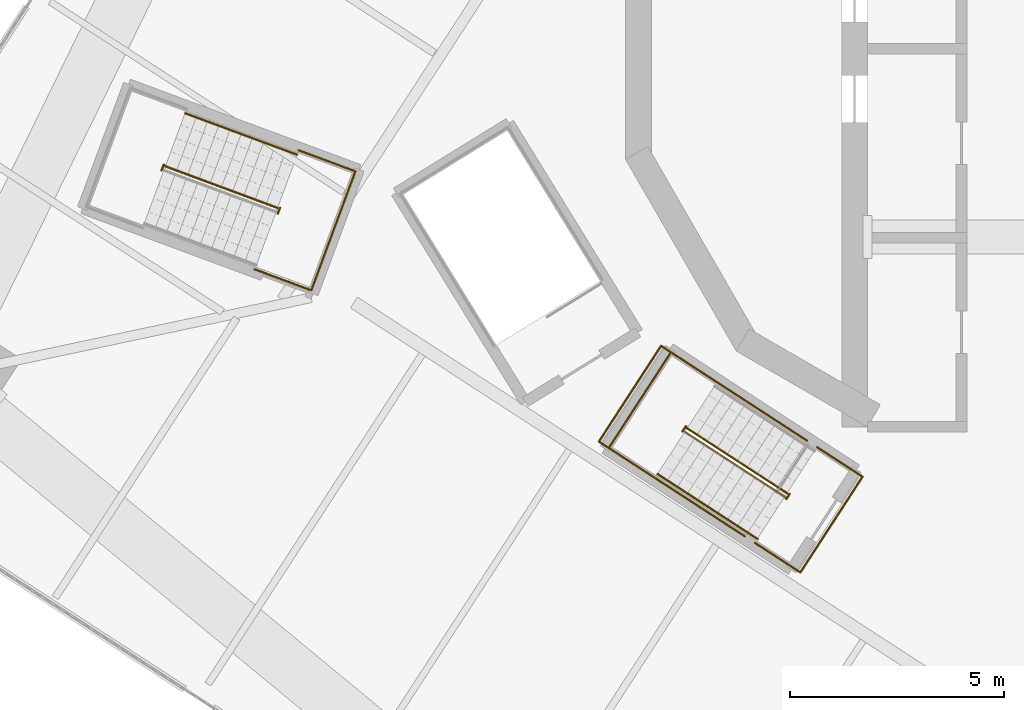
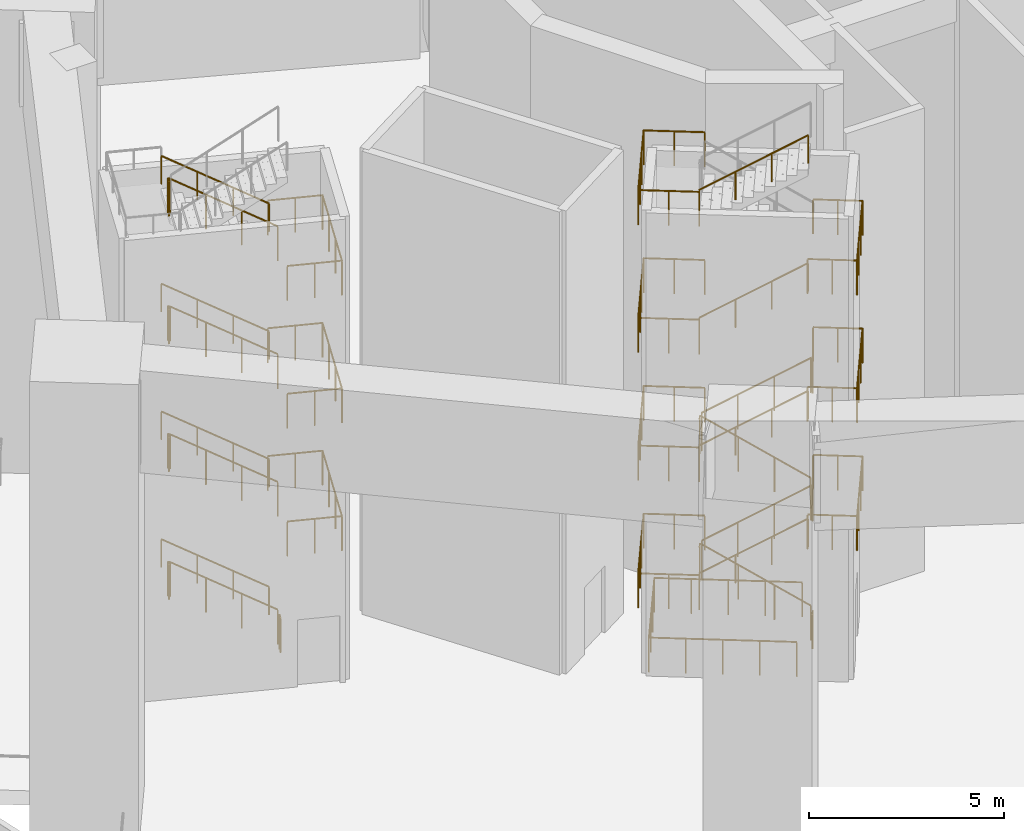
# One storey, part 11 of 16: 29 railings.
"""IFC4 building model written with IfcOpenShell, lengths in metres."""

from ifc_helpers import new_model, si_unit, direction, frame, origin, origin_2d, place, context, subcontext, project, spatial, circle, extrude, material, type_object, element, save


model = new_model("IFC4")

# Units and contexts
model_context = context("Model", 3, precision=1e-05, world=origin(), true_north=direction((0.0, 1.0)))
body_context = subcontext(model_context, "Body", "Model", "MODEL_VIEW")
ifc_project = project(units=[si_unit("LENGTHUNIT", "METRE"), si_unit("AREAUNIT", "SQUARE_METRE"), si_unit("VOLUMEUNIT", "CUBIC_METRE"), si_unit("PLANEANGLEUNIT", "RADIAN"), si_unit("MASSUNIT", "GRAM", prefix="KILO")], contexts=[model_context])

# Site, building, storey
site_placement = place(None, origin())
site = spatial("IfcSite", under=ifc_project, at=site_placement, CompositionType="ELEMENT")
building_placement = place(site_placement, origin())
building = spatial("IfcBuilding", under=site, at=building_placement, Name="Cantera Rosa Tower", CompositionType="ELEMENT")
storey_placement = place(building_placement, frame((0.0, 0.0, 290.10009765625)))
storey = spatial("IfcBuildingStorey", under=building, at=storey_placement, Name="L66", CompositionType="ELEMENT", Elevation=290.10009765625)

# Railings
ifc_material_1 = material(Name="Steel S355J2 (EN 10025-2)", Category="steel")
railing_type_1 = type_object("IfcRailingType", Name="STAIR GUARD 1100", PredefinedType="GUARDRAIL", material=ifc_material_1)
railing_1_placement = place(storey_placement, frame((-5.41357421875, -9.168212890625, 0.0)))
element("IfcRailing", 1, at=railing_1_placement, inside=storey, type_object=railing_type_1, Name="L66 ST-53 top well guard 2", PredefinedType="GUARDRAIL", context=body_context, shape_type="SweptSolid", body=[
    extrude(circle(Radius=0.02392578125, at=origin_2d()), frame((0.0, 0.0, 1.076171875), z_axis=(-0.838665308336, 0.544647134018, 0.0), x_axis=(-0.544647134018, -0.838665308336, 0.0)), (0.0, 0.0, 1.0), 3.798095703125),
    extrude(circle(Radius=0.02392578125, at=origin_2d()), frame((-3.185302734375, 2.068603515625, 1.076171875), z_axis=(-0.544679779991, -0.838644106442, 0.0), x_axis=(0.838644106442, -0.544679779991, 0.0)), (0.0, 0.0, 1.0), 2.670166015625),
    extrude(circle(Radius=0.02392578125, at=origin_2d()), frame((-4.6396484375, -0.170654296875, 1.076171875), z_axis=(0.838665308336, -0.544647134018, 0.0), x_axis=(0.544647134018, 0.838665308336, 0.0)), (0.0, 0.0, 1.0), 3.798095703125),
    extrude(circle(Radius=0.02099609375, at=origin_2d()), origin(), (0.0, 0.0, 1.0), 1.052001953125),
    extrude(circle(Radius=0.02099609375, at=origin_2d()), frame((-0.79638671875, 0.51708984375, 0.0)), (0.0, 0.0, 1.0), 1.052001953125),
    extrude(circle(Radius=0.02099609375, at=origin_2d()), frame((-1.5927734375, 1.0341796875, 0.0)), (0.0, 0.0, 1.0), 1.052001953125),
    extrude(circle(Radius=0.02099609375, at=origin_2d()), frame((-2.388916015625, 1.551513671875, 0.0)), (0.0, 0.0, 1.0), 1.052001953125),
    extrude(circle(Radius=0.02099609375, at=origin_2d()), frame((-3.185302734375, 2.068603515625, 0.0)), (0.0, 0.0, 1.0), 1.052001953125),
    extrude(circle(Radius=0.02099609375, at=origin_2d()), frame((-3.670166015625, 1.322265625, 0.0)), (0.0, 0.0, 1.0), 1.052001953125),
    extrude(circle(Radius=0.02099609375, at=origin_2d()), frame((-4.15478515625, 0.57568359375, 0.0)), (0.0, 0.0, 1.0), 1.052001953125),
    extrude(circle(Radius=0.02099609375, at=origin_2d()), frame((-4.6396484375, -0.170654296875, 0.0)), (0.0, 0.0, 1.0), 1.052001953125),
    extrude(circle(Radius=0.02099609375, at=origin_2d()), frame((-3.84326171875, -0.687744140625, 0.0)), (0.0, 0.0, 1.0), 1.052001953125),
    extrude(circle(Radius=0.02099609375, at=origin_2d()), frame((-3.046875, -1.205078125, 0.0)), (0.0, 0.0, 1.0), 1.052001953125),
    extrude(circle(Radius=0.02099609375, at=origin_2d()), frame((-2.250732421875, -1.72216796875, 0.0)), (0.0, 0.0, 1.0), 1.052001953125),
    extrude(circle(Radius=0.02099609375, at=origin_2d()), frame((-1.454345703125, -2.2392578125, 0.0)), (0.0, 0.0, 1.0), 1.052001953125),
])
for number, where, name in (
    (2, (-17.802490234375, -3.721923828125, 0.181640625), "L66 ST-63 stair guard 1"),
    (3, (-17.802490234375, -3.721923828125, 4.181640625), "L66 ST-63 stair guard 3"),
    (4, (-17.802490234375, -3.721923828125, 8.181640625), "L66 ST-63 stair guard 5"),
    (5, (-17.802490234375, -3.721923828125, 12.181640625), "L66 ST-63 stair guard 7"),
):
    element("IfcRailing", number, at=place(storey_placement, frame(where)), inside=storey, type_object=railing_type_1, Name=name, PredefinedType="GUARDRAIL", context=body_context, shape_type="SweptSolid", body=[
        extrude(circle(Radius=0.02392578125, at=origin_2d()), frame((0.0, 0.0, 1.076171875), z_axis=(-0.786418468123, 0.291461089162, 0.544606671369), x_axis=(-0.347518795507, -0.937673016978, 0.0)), (0.0, 0.0, 1.0), 3.3388671875),
        extrude(circle(Radius=0.02392578125, at=origin_2d()), frame((-2.625732421875, 0.97314453125, 2.89453125), z_axis=(-0.671593765389, 0.740919573429, 0.0), x_axis=(-0.740919573429, -0.671593765389, 0.0)), (0.0, 0.0, 1.0), 0.056396484375),
        extrude(circle(Radius=0.02392578125, at=origin_2d()), frame((-2.66357421875, 1.014892578125, 2.89453125), z_axis=(-0.346308045122, -0.938120854626, 0.0), x_axis=(0.938120854626, -0.346308045122, 0.0)), (0.0, 0.0, 1.0), 0.150146484375),
        extrude(circle(Radius=0.02099609375, at=origin_2d()), origin(), (0.0, 0.0, 1.0), 1.052001953125),
        extrude(circle(Radius=0.02099609375, at=origin_2d()), frame((-0.875244140625, 0.324462890625, 0.606201171875)), (0.0, 0.0, 1.0), 1.052001953125),
        extrude(circle(Radius=0.02099609375, at=origin_2d()), frame((-1.75048828125, 0.648681640625, 1.212158203125)), (0.0, 0.0, 1.0), 1.052001953125),
        extrude(circle(Radius=0.02099609375, at=origin_2d()), frame((-2.625732421875, 0.97314453125, 1.818359375)), (0.0, 0.0, 1.0), 1.052001953125),
        extrude(circle(Radius=0.02099609375, at=origin_2d()), frame((-2.66357421875, 1.014892578125, 1.818359375)), (0.0, 0.0, 1.0), 1.052001953125),
        extrude(circle(Radius=0.02099609375, at=origin_2d()), frame((-2.715576171875, 0.8740234375, 1.818359375)), (0.0, 0.0, 1.0), 1.052001953125),
    ])
railing_2_placement = place(storey_placement, frame((-17.74658203125, -3.71484375, 0.0)))
element("IfcRailing", 6, at=railing_2_placement, inside=storey, type_object=railing_type_1, Name="L66 ST-63 stair guard 9", PredefinedType="GUARDRAIL", context=body_context, shape_type="SweptSolid", body=[
    extrude(circle(Radius=0.02392578125, at=origin_2d()), frame((0.0, 0.0, 1.076171875), z_axis=(-0.348268249601, -0.937394914814, 0.0), x_axis=(0.937394914814, -0.348268249601, 0.0)), (0.0, 0.0, 1.0), 0.14990234375),
    extrude(circle(Radius=0.02099609375, at=origin_2d()), origin(), (0.0, 0.0, 1.0), 1.052001953125),
    extrude(circle(Radius=0.02099609375, at=origin_2d()), frame((-0.05224609375, -0.140625, 0.0)), (0.0, 0.0, 1.0), 1.052001953125),
])
for number, where, name in (
    (7, (-17.31494140625, -2.37109375, 4.0), "L66 ST-63 stair guard 11"),
    (8, (-17.31494140625, -2.37109375, 8.0), "L66 ST-63 stair guard 13"),
    (9, (-17.31494140625, -2.37109375, 12.0), "L66 ST-63 stair guard 15"),
):
    element("IfcRailing", number, at=place(storey_placement, frame(where)), inside=storey, type_object=railing_type_1, Name=name, PredefinedType="GUARDRAIL", context=body_context, shape_type="SweptSolid", body=[
        extrude(circle(Radius=0.02392578125, at=origin_2d()), frame((0.0, 0.0, 1.076171875), z_axis=(0.937690763218, -0.347470908963, 0.0), x_axis=(0.347470908963, 0.937690763218, 0.0)), (0.0, 0.0, 1.0), 1.422119140625),
        extrude(circle(Radius=0.02392578125, at=origin_2d()), frame((1.33349609375, -0.494140625, 1.076171875), z_axis=(-0.347472311651, -0.937690243436, 0.0), x_axis=(0.937690243436, -0.347472311651, 0.0)), (0.0, 0.0, 1.0), 2.969970703125),
        extrude(circle(Radius=0.02392578125, at=origin_2d()), frame((0.301513671875, -3.279052734375, 1.076171875), z_axis=(-0.937690763218, 0.347470908963, 0.0), x_axis=(-0.347470908963, -0.937690763218, 0.0)), (0.0, 0.0, 1.0), 1.422119140625),
        extrude(circle(Radius=0.02099609375, at=origin_2d()), origin(), (0.0, 0.0, 1.0), 1.052001953125),
        extrude(circle(Radius=0.02099609375, at=origin_2d()), frame((0.666748046875, -0.2470703125, 0.0)), (0.0, 0.0, 1.0), 1.052001953125),
        extrude(circle(Radius=0.02099609375, at=origin_2d()), frame((1.33349609375, -0.494140625, 0.0)), (0.0, 0.0, 1.0), 1.052001953125),
        extrude(circle(Radius=0.02099609375, at=origin_2d()), frame((0.989501953125, -1.42236328125, 0.0)), (0.0, 0.0, 1.0), 1.052001953125),
        extrude(circle(Radius=0.02099609375, at=origin_2d()), frame((0.6455078125, -2.350830078125, 0.0)), (0.0, 0.0, 1.0), 1.052001953125),
        extrude(circle(Radius=0.02099609375, at=origin_2d()), frame((0.301513671875, -3.279052734375, 0.0)), (0.0, 0.0, 1.0), 1.052001953125),
        extrude(circle(Radius=0.02099609375, at=origin_2d()), frame((-0.365234375, -3.031982421875, 0.0)), (0.0, 0.0, 1.0), 1.052001953125),
        extrude(circle(Radius=0.02099609375, at=origin_2d()), frame((-1.031982421875, -2.784912109375, 0.0)), (0.0, 0.0, 1.0), 1.052001953125),
    ])
railing_3_placement = place(storey_placement, frame((-5.873291015625, -10.403076171875, 0.181640625)))
element("IfcRailing", 10, at=railing_3_placement, inside=storey, type_object=railing_type_1, Name="L66 ST-64 stair guard 1", PredefinedType="GUARDRAIL", context=body_context, shape_type="SweptSolid", body=[
    extrude(circle(Radius=0.02392578125, at=origin_2d()), frame((0.0, 0.0, 1.076171875), z_axis=(-0.703391421225, 0.456740078695, 0.544636584394), x_axis=(-0.544599070782, -0.838696519668, 0.0)), (0.0, 0.0, 1.0), 3.338623046875),
    extrude(circle(Radius=0.02392578125, at=origin_2d()), frame((-2.348388671875, 1.52490234375, 2.89453125), z_axis=(-0.493340105608, 0.869836501993, 0.0), x_axis=(-0.869836501993, -0.493340105608, 0.0)), (0.0, 0.0, 1.0), 0.056396484375),
    extrude(circle(Radius=0.02392578125, at=origin_2d()), frame((-2.376220703125, 1.573974609375, 2.89453125), z_axis=(-0.544129121324, -0.839001489467, 0.0), x_axis=(0.839001489467, -0.544129121324, 0.0)), (0.0, 0.0, 1.0), 0.14990234375),
    extrude(circle(Radius=0.02099609375, at=origin_2d()), origin(), (0.0, 0.0, 1.0), 1.052001953125),
    extrude(circle(Radius=0.02099609375, at=origin_2d()), frame((-0.78271484375, 0.50830078125, 0.606201171875)), (0.0, 0.0, 1.0), 1.052001953125),
    extrude(circle(Radius=0.02099609375, at=origin_2d()), frame((-1.565673828125, 1.0166015625, 1.212158203125)), (0.0, 0.0, 1.0), 1.052001953125),
    extrude(circle(Radius=0.02099609375, at=origin_2d()), frame((-2.348388671875, 1.52490234375, 1.818359375)), (0.0, 0.0, 1.0), 1.052001953125),
    extrude(circle(Radius=0.02099609375, at=origin_2d()), frame((-2.376220703125, 1.573974609375, 1.818359375)), (0.0, 0.0, 1.0), 1.052001953125),
    extrude(circle(Radius=0.02099609375, at=origin_2d()), frame((-2.457763671875, 1.4482421875, 1.818359375)), (0.0, 0.0, 1.0), 1.052001953125),
])
railing_4_placement = place(storey_placement, frame((-8.275146484375, -8.960205078125, 2.181640625)))
element("IfcRailing", 11, at=railing_4_placement, inside=storey, type_object=railing_type_1, Name="L66 ST-64 stair guard 2", PredefinedType="GUARDRAIL", context=body_context, shape_type="SweptSolid", body=[
    extrude(circle(Radius=0.02392578125, at=origin_2d()), frame((0.0, 0.0, 1.076171875), z_axis=(0.7033679278, -0.456797946249, 0.544618393414), x_axis=(0.544660398056, 0.838656694237, 0.0)), (0.0, 0.0, 1.0), 3.3388671875),
    extrude(circle(Radius=0.02392578125, at=origin_2d()), frame((2.348388671875, -1.525146484375, 2.89453125), z_axis=(0.493340105608, -0.869836501993, 0.0), x_axis=(0.869836501993, 0.493340105608, 0.0)), (0.0, 0.0, 1.0), 0.056396484375),
    extrude(circle(Radius=0.02392578125, at=origin_2d()), frame((2.376220703125, -1.57421875, 2.89453125), z_axis=(0.543386185195, 0.839482848984, 0.0), x_axis=(-0.839482848984, 0.543386185195, 0.0)), (0.0, 0.0, 1.0), 0.150146484375),
    extrude(circle(Radius=0.02099609375, at=origin_2d()), origin(), (0.0, 0.0, 1.0), 1.052001953125),
    extrude(circle(Radius=0.02099609375, at=origin_2d()), frame((0.78271484375, -0.50830078125, 0.606201171875)), (0.0, 0.0, 1.0), 1.052001953125),
    extrude(circle(Radius=0.02099609375, at=origin_2d()), frame((1.565673828125, -1.016845703125, 1.212158203125)), (0.0, 0.0, 1.0), 1.052001953125),
    extrude(circle(Radius=0.02099609375, at=origin_2d()), frame((2.348388671875, -1.525146484375, 1.818359375)), (0.0, 0.0, 1.0), 1.052001953125),
    extrude(circle(Radius=0.02099609375, at=origin_2d()), frame((2.376220703125, -1.57421875, 1.818359375)), (0.0, 0.0, 1.0), 1.052001953125),
    extrude(circle(Radius=0.02099609375, at=origin_2d()), frame((2.457763671875, -1.4482421875, 1.818359375)), (0.0, 0.0, 1.0), 1.052001953125),
])
railing_5_placement = place(storey_placement, frame((-5.873291015625, -10.403076171875, 4.181640625)))
element("IfcRailing", 12, at=railing_5_placement, inside=storey, type_object=railing_type_1, Name="L66 ST-64 stair guard 3", PredefinedType="GUARDRAIL", context=body_context, shape_type="SweptSolid", body=[
    extrude(circle(Radius=0.02392578125, at=origin_2d()), frame((0.0, 0.0, 1.076171875), z_axis=(-0.703391421225, 0.456740078695, 0.544636584394), x_axis=(-0.544599070782, -0.838696519668, 0.0)), (0.0, 0.0, 1.0), 3.338623046875),
    extrude(circle(Radius=0.02392578125, at=origin_2d()), frame((-2.348388671875, 1.52490234375, 2.89453125), z_axis=(-0.493340105608, 0.869836501993, 0.0), x_axis=(-0.869836501993, -0.493340105608, 0.0)), (0.0, 0.0, 1.0), 0.056396484375),
    extrude(circle(Radius=0.02392578125, at=origin_2d()), frame((-2.376220703125, 1.573974609375, 2.89453125), z_axis=(-0.544129121324, -0.839001489467, 0.0), x_axis=(0.839001489467, -0.544129121324, 0.0)), (0.0, 0.0, 1.0), 0.14990234375),
    extrude(circle(Radius=0.02099609375, at=origin_2d()), origin(), (0.0, 0.0, 1.0), 1.052001953125),
    extrude(circle(Radius=0.02099609375, at=origin_2d()), frame((-0.78271484375, 0.50830078125, 0.606201171875)), (0.0, 0.0, 1.0), 1.052001953125),
    extrude(circle(Radius=0.02099609375, at=origin_2d()), frame((-1.565673828125, 1.0166015625, 1.212158203125)), (0.0, 0.0, 1.0), 1.052001953125),
    extrude(circle(Radius=0.02099609375, at=origin_2d()), frame((-2.348388671875, 1.52490234375, 1.818359375)), (0.0, 0.0, 1.0), 1.052001953125),
    extrude(circle(Radius=0.02099609375, at=origin_2d()), frame((-2.376220703125, 1.573974609375, 1.818359375)), (0.0, 0.0, 1.0), 1.052001953125),
    extrude(circle(Radius=0.02099609375, at=origin_2d()), frame((-2.457763671875, 1.4482421875, 1.818359375)), (0.0, 0.0, 1.0), 1.052001953125),
])
railing_6_placement = place(storey_placement, frame((-8.275146484375, -8.960205078125, 6.181640625)))
element("IfcRailing", 13, at=railing_6_placement, inside=storey, type_object=railing_type_1, Name="L66 ST-64 stair guard 4", PredefinedType="GUARDRAIL", context=body_context, shape_type="SweptSolid", body=[
    extrude(circle(Radius=0.02392578125, at=origin_2d()), frame((0.0, 0.0, 1.076171875), z_axis=(0.7033679278, -0.456797946249, 0.544618393414), x_axis=(0.544660398056, 0.838656694237, 0.0)), (0.0, 0.0, 1.0), 3.3388671875),
    extrude(circle(Radius=0.02392578125, at=origin_2d()), frame((2.348388671875, -1.525146484375, 2.89453125), z_axis=(0.493340105608, -0.869836501993, 0.0), x_axis=(0.869836501993, 0.493340105608, 0.0)), (0.0, 0.0, 1.0), 0.056396484375),
    extrude(circle(Radius=0.02392578125, at=origin_2d()), frame((2.376220703125, -1.57421875, 2.89453125), z_axis=(0.543386185195, 0.839482848984, 0.0), x_axis=(-0.839482848984, 0.543386185195, 0.0)), (0.0, 0.0, 1.0), 0.150146484375),
    extrude(circle(Radius=0.02099609375, at=origin_2d()), origin(), (0.0, 0.0, 1.0), 1.052001953125),
    extrude(circle(Radius=0.02099609375, at=origin_2d()), frame((0.78271484375, -0.50830078125, 0.606201171875)), (0.0, 0.0, 1.0), 1.052001953125),
    extrude(circle(Radius=0.02099609375, at=origin_2d()), frame((1.565673828125, -1.016845703125, 1.212158203125)), (0.0, 0.0, 1.0), 1.052001953125),
    extrude(circle(Radius=0.02099609375, at=origin_2d()), frame((2.348388671875, -1.525146484375, 1.818359375)), (0.0, 0.0, 1.0), 1.052001953125),
    extrude(circle(Radius=0.02099609375, at=origin_2d()), frame((2.376220703125, -1.57421875, 1.818359375)), (0.0, 0.0, 1.0), 1.052001953125),
    extrude(circle(Radius=0.02099609375, at=origin_2d()), frame((2.457763671875, -1.4482421875, 1.818359375)), (0.0, 0.0, 1.0), 1.052001953125),
])
railing_7_placement = place(storey_placement, frame((-5.8173828125, -10.408447265625, 0.0)))
element("IfcRailing", 14, at=railing_7_placement, inside=storey, type_object=railing_type_1, Name="L66 ST-64 stair guard 9", PredefinedType="GUARDRAIL", context=body_context, shape_type="SweptSolid", body=[
    extrude(circle(Radius=0.02392578125, at=origin_2d()), frame((0.0, 0.0, 1.076171875), z_axis=(-0.543386185195, -0.839482848984, 0.0), x_axis=(0.839482848984, -0.543386185195, 0.0)), (0.0, 0.0, 1.0), 0.150146484375),
    extrude(circle(Radius=0.02099609375, at=origin_2d()), origin(), (0.0, 0.0, 1.0), 1.052001953125),
    extrude(circle(Radius=0.02099609375, at=origin_2d()), frame((-0.08154296875, -0.1259765625, 0.0)), (0.0, 0.0, 1.0), 1.052001953125),
])
railing_8_placement = place(storey_placement, frame((-7.51123046875, -7.80615234375, 2.0)))
element("IfcRailing", 15, at=railing_8_placement, inside=storey, type_object=railing_type_1, Name="L66 ST-64 stair guard 10", PredefinedType="GUARDRAIL", context=body_context, shape_type="SweptSolid", body=[
    extrude(circle(Radius=0.02392578125, at=origin_2d()), frame((0.0, 0.0, 1.076171875), z_axis=(-0.838656450858, 0.544660772807, 0.0), x_axis=(-0.544660772807, -0.838656450858, 0.0)), (0.0, 0.0, 1.0), 1.572021484375),
    extrude(circle(Radius=0.02392578125, at=origin_2d()), frame((-1.318359375, 0.856201171875, 1.076171875), z_axis=(-0.544615466587, -0.838685872991, 0.0), x_axis=(0.838685872991, -0.544615466587, 0.0)), (0.0, 0.0, 1.0), 2.669921875),
    extrude(circle(Radius=0.02392578125, at=origin_2d()), frame((-2.7724609375, -1.383056640625, 1.076171875), z_axis=(0.838656450858, -0.544660772807, 0.0), x_axis=(0.544660772807, 0.838656450858, 0.0)), (0.0, 0.0, 1.0), 1.572021484375),
    extrude(circle(Radius=0.02099609375, at=origin_2d()), origin(), (0.0, 0.0, 1.0), 1.052001953125),
    extrude(circle(Radius=0.02099609375, at=origin_2d()), frame((-0.6591796875, 0.42822265625, 0.0)), (0.0, 0.0, 1.0), 1.052001953125),
    extrude(circle(Radius=0.02099609375, at=origin_2d()), frame((-1.318359375, 0.856201171875, 0.0)), (0.0, 0.0, 1.0), 1.052001953125),
    extrude(circle(Radius=0.02099609375, at=origin_2d()), frame((-1.802978515625, 0.10986328125, 0.0)), (0.0, 0.0, 1.0), 1.052001953125),
    extrude(circle(Radius=0.02099609375, at=origin_2d()), frame((-2.287841796875, -0.63671875, 0.0)), (0.0, 0.0, 1.0), 1.052001953125),
    extrude(circle(Radius=0.02099609375, at=origin_2d()), frame((-2.7724609375, -1.383056640625, 0.0)), (0.0, 0.0, 1.0), 1.052001953125),
    extrude(circle(Radius=0.02099609375, at=origin_2d()), frame((-2.11328125, -1.81103515625, 0.0)), (0.0, 0.0, 1.0), 1.052001953125),
    extrude(circle(Radius=0.02099609375, at=origin_2d()), frame((-1.4541015625, -2.2392578125, 0.0)), (0.0, 0.0, 1.0), 1.052001953125),
])
railing_9_placement = place(storey_placement, frame((-5.18310546875, -9.318115234375, 4.0)))
element("IfcRailing", 16, at=railing_9_placement, inside=storey, type_object=railing_type_1, Name="L66 ST-64 stair guard 11", PredefinedType="GUARDRAIL", context=body_context, shape_type="SweptSolid", body=[
    extrude(circle(Radius=0.02392578125, at=origin_2d()), frame((0.0, 0.0, 1.076171875), z_axis=(0.838750442364, -0.544516019447, 0.0), x_axis=(0.544516019447, 0.838750442364, 0.0)), (0.0, 0.0, 1.0), 1.27197265625),
    extrude(circle(Radius=0.02392578125, at=origin_2d()), frame((1.06689453125, -0.692626953125, 1.076171875), z_axis=(-0.544615466587, -0.838685872991, 0.0), x_axis=(0.838685872991, -0.544615466587, 0.0)), (0.0, 0.0, 1.0), 2.669921875),
    extrude(circle(Radius=0.02392578125, at=origin_2d()), frame((-0.38720703125, -2.931884765625, 1.076171875), z_axis=(-0.838750442364, 0.544516019447, 0.0), x_axis=(-0.544516019447, -0.838750442364, 0.0)), (0.0, 0.0, 1.0), 1.27197265625),
    extrude(circle(Radius=0.02099609375, at=origin_2d()), origin(), (0.0, 0.0, 1.0), 1.052001953125),
    extrude(circle(Radius=0.02099609375, at=origin_2d()), frame((0.533447265625, -0.34619140625, 0.0)), (0.0, 0.0, 1.0), 1.052001953125),
    extrude(circle(Radius=0.02099609375, at=origin_2d()), frame((1.06689453125, -0.692626953125, 0.0)), (0.0, 0.0, 1.0), 1.052001953125),
    extrude(circle(Radius=0.02099609375, at=origin_2d()), frame((0.582275390625, -1.43896484375, 0.0)), (0.0, 0.0, 1.0), 1.052001953125),
    extrude(circle(Radius=0.02099609375, at=origin_2d()), frame((0.097412109375, -2.185546875, 0.0)), (0.0, 0.0, 1.0), 1.052001953125),
    extrude(circle(Radius=0.02099609375, at=origin_2d()), frame((-0.38720703125, -2.931884765625, 0.0)), (0.0, 0.0, 1.0), 1.052001953125),
    extrude(circle(Radius=0.02099609375, at=origin_2d()), frame((-0.920654296875, -2.58544921875, 0.0)), (0.0, 0.0, 1.0), 1.052001953125),
    extrude(circle(Radius=0.02099609375, at=origin_2d()), frame((-1.4541015625, -2.2392578125, 0.0)), (0.0, 0.0, 1.0), 1.052001953125),
])
railing_10_placement = place(storey_placement, frame((-7.51123046875, -7.80615234375, 6.0)))
element("IfcRailing", 17, at=railing_10_placement, inside=storey, type_object=railing_type_1, Name="L66 ST-64 stair guard 12", PredefinedType="GUARDRAIL", context=body_context, shape_type="SweptSolid", body=[
    extrude(circle(Radius=0.02392578125, at=origin_2d()), frame((0.0, 0.0, 1.076171875), z_axis=(-0.838656450858, 0.544660772807, 0.0), x_axis=(-0.544660772807, -0.838656450858, 0.0)), (0.0, 0.0, 1.0), 1.572021484375),
    extrude(circle(Radius=0.02392578125, at=origin_2d()), frame((-1.318359375, 0.856201171875, 1.076171875), z_axis=(-0.544615466587, -0.838685872991, 0.0), x_axis=(0.838685872991, -0.544615466587, 0.0)), (0.0, 0.0, 1.0), 2.669921875),
    extrude(circle(Radius=0.02392578125, at=origin_2d()), frame((-2.7724609375, -1.383056640625, 1.076171875), z_axis=(0.838656450858, -0.544660772807, 0.0), x_axis=(0.544660772807, 0.838656450858, 0.0)), (0.0, 0.0, 1.0), 1.572021484375),
    extrude(circle(Radius=0.02099609375, at=origin_2d()), origin(), (0.0, 0.0, 1.0), 1.052001953125),
    extrude(circle(Radius=0.02099609375, at=origin_2d()), frame((-0.6591796875, 0.42822265625, 0.0)), (0.0, 0.0, 1.0), 1.052001953125),
    extrude(circle(Radius=0.02099609375, at=origin_2d()), frame((-1.318359375, 0.856201171875, 0.0)), (0.0, 0.0, 1.0), 1.052001953125),
    extrude(circle(Radius=0.02099609375, at=origin_2d()), frame((-1.802978515625, 0.10986328125, 0.0)), (0.0, 0.0, 1.0), 1.052001953125),
    extrude(circle(Radius=0.02099609375, at=origin_2d()), frame((-2.287841796875, -0.63671875, 0.0)), (0.0, 0.0, 1.0), 1.052001953125),
    extrude(circle(Radius=0.02099609375, at=origin_2d()), frame((-2.7724609375, -1.383056640625, 0.0)), (0.0, 0.0, 1.0), 1.052001953125),
    extrude(circle(Radius=0.02099609375, at=origin_2d()), frame((-2.11328125, -1.81103515625, 0.0)), (0.0, 0.0, 1.0), 1.052001953125),
    extrude(circle(Radius=0.02099609375, at=origin_2d()), frame((-1.4541015625, -2.2392578125, 0.0)), (0.0, 0.0, 1.0), 1.052001953125),
])
railing_11_placement = place(storey_placement, frame((-5.18310546875, -9.318115234375, 8.0)))
element("IfcRailing", 18, at=railing_11_placement, inside=storey, type_object=railing_type_1, Name="L66 ST-64 stair guard 13", PredefinedType="GUARDRAIL", context=body_context, shape_type="SweptSolid", body=[
    extrude(circle(Radius=0.02392578125, at=origin_2d()), frame((0.0, 0.0, 1.076171875), z_axis=(0.838750442364, -0.544516019447, 0.0), x_axis=(0.544516019447, 0.838750442364, 0.0)), (0.0, 0.0, 1.0), 1.27197265625),
    extrude(circle(Radius=0.02392578125, at=origin_2d()), frame((1.06689453125, -0.692626953125, 1.076171875), z_axis=(-0.544615466587, -0.838685872991, 0.0), x_axis=(0.838685872991, -0.544615466587, 0.0)), (0.0, 0.0, 1.0), 2.669921875),
    extrude(circle(Radius=0.02392578125, at=origin_2d()), frame((-0.38720703125, -2.931884765625, 1.076171875), z_axis=(-0.838750442364, 0.544516019447, 0.0), x_axis=(-0.544516019447, -0.838750442364, 0.0)), (0.0, 0.0, 1.0), 1.27197265625),
    extrude(circle(Radius=0.02099609375, at=origin_2d()), origin(), (0.0, 0.0, 1.0), 1.052001953125),
    extrude(circle(Radius=0.02099609375, at=origin_2d()), frame((0.533447265625, -0.34619140625, 0.0)), (0.0, 0.0, 1.0), 1.052001953125),
    extrude(circle(Radius=0.02099609375, at=origin_2d()), frame((1.06689453125, -0.692626953125, 0.0)), (0.0, 0.0, 1.0), 1.052001953125),
    extrude(circle(Radius=0.02099609375, at=origin_2d()), frame((0.582275390625, -1.43896484375, 0.0)), (0.0, 0.0, 1.0), 1.052001953125),
    extrude(circle(Radius=0.02099609375, at=origin_2d()), frame((0.097412109375, -2.185546875, 0.0)), (0.0, 0.0, 1.0), 1.052001953125),
    extrude(circle(Radius=0.02099609375, at=origin_2d()), frame((-0.38720703125, -2.931884765625, 0.0)), (0.0, 0.0, 1.0), 1.052001953125),
    extrude(circle(Radius=0.02099609375, at=origin_2d()), frame((-0.920654296875, -2.58544921875, 0.0)), (0.0, 0.0, 1.0), 1.052001953125),
    extrude(circle(Radius=0.02099609375, at=origin_2d()), frame((-1.4541015625, -2.2392578125, 0.0)), (0.0, 0.0, 1.0), 1.052001953125),
])
railing_12_placement = place(storey_placement, frame((-7.51123046875, -7.80615234375, 10.0)))
element("IfcRailing", 19, at=railing_12_placement, inside=storey, type_object=railing_type_1, Name="L66 ST-64 stair guard 14", PredefinedType="GUARDRAIL", context=body_context, shape_type="SweptSolid", body=[
    extrude(circle(Radius=0.02392578125, at=origin_2d()), frame((0.0, 0.0, 1.076171875), z_axis=(-0.838656450858, 0.544660772807, 0.0), x_axis=(-0.544660772807, -0.838656450858, 0.0)), (0.0, 0.0, 1.0), 1.572021484375),
    extrude(circle(Radius=0.02392578125, at=origin_2d()), frame((-1.318359375, 0.856201171875, 1.076171875), z_axis=(-0.544615466587, -0.838685872991, 0.0), x_axis=(0.838685872991, -0.544615466587, 0.0)), (0.0, 0.0, 1.0), 2.669921875),
    extrude(circle(Radius=0.02392578125, at=origin_2d()), frame((-2.7724609375, -1.383056640625, 1.076171875), z_axis=(0.838656450858, -0.544660772807, 0.0), x_axis=(0.544660772807, 0.838656450858, 0.0)), (0.0, 0.0, 1.0), 1.572021484375),
    extrude(circle(Radius=0.02099609375, at=origin_2d()), origin(), (0.0, 0.0, 1.0), 1.052001953125),
    extrude(circle(Radius=0.02099609375, at=origin_2d()), frame((-0.6591796875, 0.42822265625, 0.0)), (0.0, 0.0, 1.0), 1.052001953125),
    extrude(circle(Radius=0.02099609375, at=origin_2d()), frame((-1.318359375, 0.856201171875, 0.0)), (0.0, 0.0, 1.0), 1.052001953125),
    extrude(circle(Radius=0.02099609375, at=origin_2d()), frame((-1.802978515625, 0.10986328125, 0.0)), (0.0, 0.0, 1.0), 1.052001953125),
    extrude(circle(Radius=0.02099609375, at=origin_2d()), frame((-2.287841796875, -0.63671875, 0.0)), (0.0, 0.0, 1.0), 1.052001953125),
    extrude(circle(Radius=0.02099609375, at=origin_2d()), frame((-2.7724609375, -1.383056640625, 0.0)), (0.0, 0.0, 1.0), 1.052001953125),
    extrude(circle(Radius=0.02099609375, at=origin_2d()), frame((-2.11328125, -1.81103515625, 0.0)), (0.0, 0.0, 1.0), 1.052001953125),
    extrude(circle(Radius=0.02099609375, at=origin_2d()), frame((-1.4541015625, -2.2392578125, 0.0)), (0.0, 0.0, 1.0), 1.052001953125),
])
railing_13_placement = place(storey_placement, frame((-5.18310546875, -9.318115234375, 12.0)))
element("IfcRailing", 20, at=railing_13_placement, inside=storey, type_object=railing_type_1, Name="L66 ST-64 stair guard 15", PredefinedType="GUARDRAIL", context=body_context, shape_type="SweptSolid", body=[
    extrude(circle(Radius=0.02392578125, at=origin_2d()), frame((0.0, 0.0, 1.076171875), z_axis=(0.838750442364, -0.544516019447, 0.0), x_axis=(0.544516019447, 0.838750442364, 0.0)), (0.0, 0.0, 1.0), 1.27197265625),
    extrude(circle(Radius=0.02392578125, at=origin_2d()), frame((1.06689453125, -0.692626953125, 1.076171875), z_axis=(-0.544615466587, -0.838685872991, 0.0), x_axis=(0.838685872991, -0.544615466587, 0.0)), (0.0, 0.0, 1.0), 2.669921875),
    extrude(circle(Radius=0.02392578125, at=origin_2d()), frame((-0.38720703125, -2.931884765625, 1.076171875), z_axis=(-0.838750442364, 0.544516019447, 0.0), x_axis=(-0.544516019447, -0.838750442364, 0.0)), (0.0, 0.0, 1.0), 1.27197265625),
    extrude(circle(Radius=0.02099609375, at=origin_2d()), origin(), (0.0, 0.0, 1.0), 1.052001953125),
    extrude(circle(Radius=0.02099609375, at=origin_2d()), frame((0.533447265625, -0.34619140625, 0.0)), (0.0, 0.0, 1.0), 1.052001953125),
    extrude(circle(Radius=0.02099609375, at=origin_2d()), frame((1.06689453125, -0.692626953125, 0.0)), (0.0, 0.0, 1.0), 1.052001953125),
    extrude(circle(Radius=0.02099609375, at=origin_2d()), frame((0.582275390625, -1.43896484375, 0.0)), (0.0, 0.0, 1.0), 1.052001953125),
    extrude(circle(Radius=0.02099609375, at=origin_2d()), frame((0.097412109375, -2.185546875, 0.0)), (0.0, 0.0, 1.0), 1.052001953125),
    extrude(circle(Radius=0.02099609375, at=origin_2d()), frame((-0.38720703125, -2.931884765625, 0.0)), (0.0, 0.0, 1.0), 1.052001953125),
    extrude(circle(Radius=0.02099609375, at=origin_2d()), frame((-0.920654296875, -2.58544921875, 0.0)), (0.0, 0.0, 1.0), 1.052001953125),
    extrude(circle(Radius=0.02099609375, at=origin_2d()), frame((-1.4541015625, -2.2392578125, 0.0)), (0.0, 0.0, 1.0), 1.052001953125),
])
railing_14_placement = place(storey_placement, frame((-7.51123046875, -7.80615234375, 14.0)))
element("IfcRailing", 21, at=railing_14_placement, inside=storey, type_object=railing_type_1, Name="L66 ST-64 stair guard 16", PredefinedType="GUARDRAIL", context=body_context, shape_type="SweptSolid", body=[
    extrude(circle(Radius=0.02392578125, at=origin_2d()), frame((0.0, 0.0, 1.076171875), z_axis=(-0.838656450858, 0.544660772807, 0.0), x_axis=(-0.544660772807, -0.838656450858, 0.0)), (0.0, 0.0, 1.0), 1.572021484375),
    extrude(circle(Radius=0.02392578125, at=origin_2d()), frame((-1.318359375, 0.856201171875, 1.076171875), z_axis=(-0.544615466587, -0.838685872991, 0.0), x_axis=(0.838685872991, -0.544615466587, 0.0)), (0.0, 0.0, 1.0), 2.669921875),
    extrude(circle(Radius=0.02392578125, at=origin_2d()), frame((-2.7724609375, -1.383056640625, 1.076171875), z_axis=(0.838656450858, -0.544660772807, 0.0), x_axis=(0.544660772807, 0.838656450858, 0.0)), (0.0, 0.0, 1.0), 1.572021484375),
    extrude(circle(Radius=0.02099609375, at=origin_2d()), origin(), (0.0, 0.0, 1.0), 1.052001953125),
    extrude(circle(Radius=0.02099609375, at=origin_2d()), frame((-0.6591796875, 0.42822265625, 0.0)), (0.0, 0.0, 1.0), 1.052001953125),
    extrude(circle(Radius=0.02099609375, at=origin_2d()), frame((-1.318359375, 0.856201171875, 0.0)), (0.0, 0.0, 1.0), 1.052001953125),
    extrude(circle(Radius=0.02099609375, at=origin_2d()), frame((-1.802978515625, 0.10986328125, 0.0)), (0.0, 0.0, 1.0), 1.052001953125),
    extrude(circle(Radius=0.02099609375, at=origin_2d()), frame((-2.287841796875, -0.63671875, 0.0)), (0.0, 0.0, 1.0), 1.052001953125),
    extrude(circle(Radius=0.02099609375, at=origin_2d()), frame((-2.7724609375, -1.383056640625, 0.0)), (0.0, 0.0, 1.0), 1.052001953125),
    extrude(circle(Radius=0.02099609375, at=origin_2d()), frame((-2.11328125, -1.81103515625, 0.0)), (0.0, 0.0, 1.0), 1.052001953125),
    extrude(circle(Radius=0.02099609375, at=origin_2d()), frame((-1.4541015625, -2.2392578125, 0.0)), (0.0, 0.0, 1.0), 1.052001953125),
])
ifc_material_2 = material(Name="Steel S355J2 (EN 10025-2)", Category="steel")
railing_type_2 = type_object("IfcRailingType", Name="STAIR HANDRAIL 900", PredefinedType="HANDRAIL", material=ifc_material_2)
for number, where, name in (
    (22, (-17.341796875, -2.478515625, 0.181640625), "L66 ST-63 stair handrail 1"),
    (23, (-17.341796875, -2.478515625, 4.181640625), "L66 ST-63 stair handrail 3"),
    (24, (-17.341796875, -2.478515625, 8.181640625), "L66 ST-63 stair handrail 5"),
    (25, (-17.341796875, -2.478515625, 12.181640625), "L66 ST-63 stair handrail 7"),
):
    element("IfcRailing", number, at=place(storey_placement, frame(where)), inside=storey, type_object=railing_type_2, Name=name, PredefinedType="HANDRAIL", context=body_context, shape_type="SweptSolid", body=[
        extrude(circle(Radius=0.02392578125, at=origin_2d()), frame((0.0, 0.0, 0.8759765625), z_axis=(-0.78640732652, 0.291410935111, 0.544649597166), x_axis=(-0.347470544015, -0.937690898453, 0.0)), (0.0, 0.0, 1.0), 3.338623046875),
        extrude(circle(Radius=0.02099609375, at=origin_2d()), origin(), (0.0, 0.0, 1.0), 0.851806640625),
        extrude(circle(Radius=0.02099609375, at=origin_2d()), frame((-0.875244140625, 0.32421875, 0.606201171875)), (0.0, 0.0, 1.0), 0.851806640625),
        extrude(circle(Radius=0.02099609375, at=origin_2d()), frame((-1.750244140625, 0.648681640625, 1.212158203125)), (0.0, 0.0, 1.0), 0.851806640625),
        extrude(circle(Radius=0.02099609375, at=origin_2d()), frame((-2.62548828125, 0.972900390625, 1.818359375)), (0.0, 0.0, 1.0), 0.851806640625),
    ])
for number, where, name in (
    (26, (-8.91552734375, -9.946533203125, 2.181640625), "L66 ST-64 stair handrail 2"),
    (27, (-8.91552734375, -9.946533203125, 6.181640625), "L66 ST-64 stair handrail 4"),
    (28, (-8.91552734375, -9.946533203125, 10.181640625), "L66 ST-64 stair handrail 6"),
    (29, (-8.91552734375, -9.946533203125, 14.181640625), "L66 ST-64 stair handrail 8"),
):
    element("IfcRailing", number, at=place(storey_placement, frame(where)), inside=storey, type_object=railing_type_2, Name=name, PredefinedType="HANDRAIL", context=body_context, shape_type="SweptSolid", body=[
        extrude(circle(Radius=0.02392578125, at=origin_2d()), frame((0.0, 0.0, 0.8759765625), z_axis=(0.7033679278, -0.456797946249, 0.544618393414), x_axis=(0.544660398056, 0.838656694237, 0.0)), (0.0, 0.0, 1.0), 3.3388671875),
        extrude(circle(Radius=0.02099609375, at=origin_2d()), origin(), (0.0, 0.0, 1.0), 0.851806640625),
        extrude(circle(Radius=0.02099609375, at=origin_2d()), frame((0.78271484375, -0.50830078125, 0.606201171875)), (0.0, 0.0, 1.0), 0.851806640625),
        extrude(circle(Radius=0.02099609375, at=origin_2d()), frame((1.565673828125, -1.016845703125, 1.212158203125)), (0.0, 0.0, 1.0), 0.851806640625),
        extrude(circle(Radius=0.02099609375, at=origin_2d()), frame((2.348388671875, -1.525146484375, 1.818359375)), (0.0, 0.0, 1.0), 0.851806640625),
    ])

save(model, "model.ifc")
